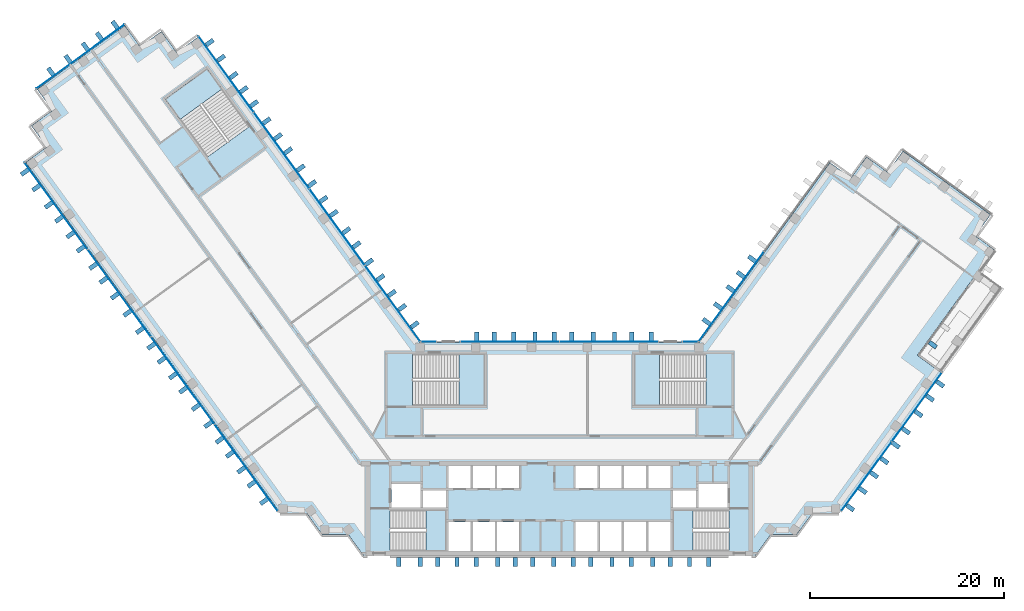
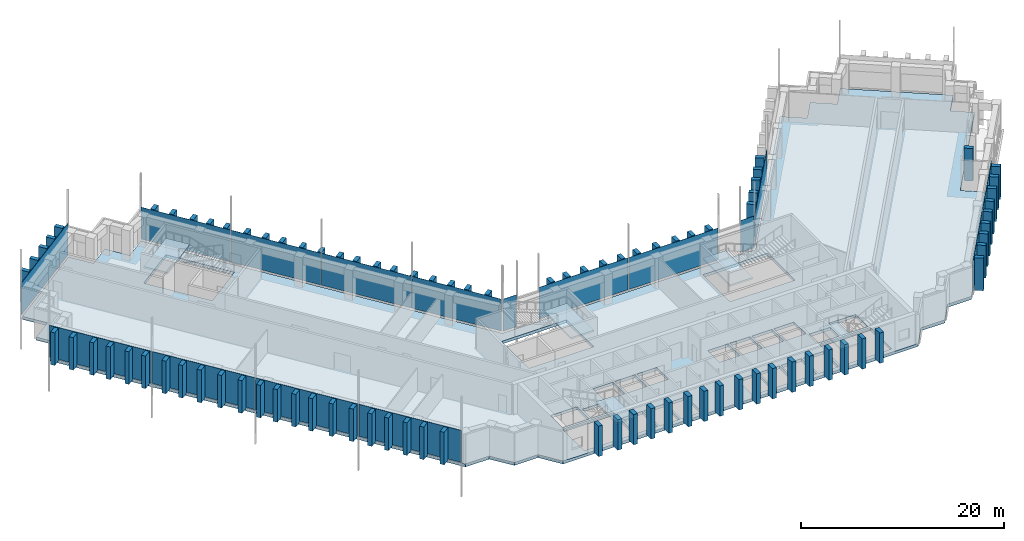
# One storey, part 7 of 16: 104 plates, 6 slabs, 13 elements without a shape of their own.
"""IFC4 building model written with IfcOpenShell, lengths in metres."""

from ifc_helpers import new_model, si_unit, direction, frame, origin, origin_2d, place, context, subcontext, project, spatial, polyline, rectangle, outline, extrude, material, layer, layer_set, type_object, element, aggregate, save


model = new_model("IFC4")

# Units and contexts
model_context = context("Model", 3, precision=1e-05, world=origin(), true_north=direction((0.0, 1.0)))
body_context = subcontext(model_context, "Body", "Model", "MODEL_VIEW")
ifc_project = project(units=[si_unit("LENGTHUNIT", "METRE"), si_unit("AREAUNIT", "SQUARE_METRE"), si_unit("VOLUMEUNIT", "CUBIC_METRE"), si_unit("PLANEANGLEUNIT", "RADIAN"), si_unit("MASSUNIT", "GRAM", prefix="KILO")], contexts=[model_context])

# Site, building, storey
site_placement = place(None, origin())
site = spatial("IfcSite", under=ifc_project, at=site_placement, CompositionType="ELEMENT")
building_placement = place(site_placement, origin())
building = spatial("IfcBuilding", under=site, at=building_placement, Name="Quipu Civic Tower", CompositionType="ELEMENT")
storey_placement = place(building_placement, frame((0.0, 0.0, 89.0)))
storey = spatial("IfcBuildingStorey", under=building, at=storey_placement, Name="L20", CompositionType="ELEMENT", Elevation=89.0)

# Slab
ifc_material_1 = material(Name="Concrete C40/50", Category="concrete")
ifc_layer_1 = layer(ifc_material_1, 0.35009765625)
ifc_layer_set_1 = layer_set([ifc_layer_1], Name="Concrete C40/50")
slab_type_1 = type_object("IfcSlabType", Name="Floor slab 350 C40/50", PredefinedType="FLOOR", material=ifc_layer_set_1)
slab_1_placement = place(storey_placement, frame((0.0, 0.0, -0.35009765625)))
element("IfcSlab", 1, at=slab_1_placement, inside=storey, type_object=slab_type_1, Name="Floor slab L20", PredefinedType="FLOOR", context=body_context, shape_type="SweptSolid", body=[
    extrude(outline(polyline([(24.489990234375, -8.81494140625), (21.7900390625, -8.81494140625), (20.205078125, -11.0), (-20.205078125, -11.0), (-21.7900390625, -8.81494140625), (-24.489990234375, -8.81494140625), (-26.080078125, -6.6298828125), (-28.780029296875, -6.6298828125), (-55.114990234375, 29.614990234375), (-52.929931640625, 31.205078125), (-54.514892578125, 33.389892578125), (-52.3349609375, 34.97509765625), (-53.919921875, 37.159912109375), (-44.860107421875, 43.739990234375), (-43.27001953125, 41.56005859375), (-41.0849609375, 43.14501953125), (-39.5, 40.9599609375), (-37.31494140625, 42.550048828125), (-14.39501953125, 11.0), (14.39501953125, 11.0), (27.909912109375, 29.60498046875), (30.094970703125, 28.014892578125), (31.68505859375, 30.199951171875), (33.864990234375, 28.614990234375), (35.455078125, 30.800048828125), (44.514892578125, 24.215087890625), (42.929931640625, 22.030029296875), (44.8701171875, 20.6201171875), (36.93505859375, 9.699951171875), (39.360107421875, 7.93505859375), (28.780029296875, -6.6298828125), (26.080078125, -6.6298828125), (24.489990234375, -8.81494140625)]), holes=[polyline([(-11.449951171875, -7.5), (-11.449951171875, -10.5), (-9.14990234375, -10.5), (-9.14990234375, -7.5), (-11.449951171875, -7.5)]), polyline([(-8.949951171875, -7.5), (-8.949951171875, -10.5), (-6.64990234375, -10.5), (-6.64990234375, -7.5), (-8.949951171875, -7.5)]), polyline([(-6.449951171875, -7.5), (-6.449951171875, -10.5), (-4.14990234375, -10.5), (-4.14990234375, -7.5), (-6.449951171875, -7.5)]), polyline([(-11.705078125, -10.4951171875), (-11.705078125, -6.2548828125), (-17.4951171875, -6.2548828125), (-17.4951171875, -10.4951171875), (-11.705078125, -10.4951171875)]), polyline([(-11.699951171875, -4.25), (-14.10009765625, -4.25), (-14.10009765625, -6.0), (-11.699951171875, -6.0), (-11.699951171875, -4.25)]), polyline([(-17.35009765625, -3.60009765625), (-17.35009765625, -6.0), (-14.35009765625, -6.0), (-14.35009765625, -3.60009765625), (-17.35009765625, -3.60009765625)]), polyline([(-9.14990234375, -1.699951171875), (-11.449951171875, -1.699951171875), (-11.449951171875, -4.0), (-9.14990234375, -4.0), (-9.14990234375, -1.699951171875)]), polyline([(-6.64990234375, -1.699951171875), (-8.949951171875, -1.699951171875), (-8.949951171875, -4.0), (-6.64990234375, -4.0), (-6.64990234375, -1.699951171875)]), polyline([(-6.449951171875, -1.699951171875), (-6.449951171875, -4.0), (-4.14990234375, -4.0), (-4.14990234375, -1.699951171875), (-6.449951171875, -1.699951171875)]), polyline([(3.949951171875, -1.699951171875), (1.64990234375, -1.699951171875), (1.64990234375, -4.0), (3.949951171875, -4.0), (3.949951171875, -1.699951171875)]), polyline([(-7.7548828125, 4.5048828125), (-7.7548828125, 9.844970703125), (-15.14501953125, 9.844970703125), (-15.14501953125, 4.5048828125), (-7.7548828125, 4.5048828125)]), polyline([(-40.68505859375, 36.135009765625), (-36.344970703125, 30.159912109375), (-32.02490234375, 33.300048828125), (-36.364990234375, 39.27490234375), (-40.68505859375, 36.135009765625)]), polyline([(3.949951171875, -7.5), (1.64990234375, -7.5), (1.64990234375, -10.5), (3.949951171875, -10.5), (3.949951171875, -7.5)]), polyline([(6.449951171875, -7.5), (4.14990234375, -7.5), (4.14990234375, -10.5), (6.449951171875, -10.5), (6.449951171875, -7.5)]), polyline([(6.64990234375, -7.5), (6.64990234375, -10.5), (8.949951171875, -10.5), (8.949951171875, -7.5), (6.64990234375, -7.5)]), polyline([(11.449951171875, -7.5), (9.14990234375, -7.5), (9.14990234375, -10.5), (11.449951171875, -10.5), (11.449951171875, -7.5)]), polyline([(11.705078125, -6.2548828125), (11.705078125, -10.4951171875), (17.4951171875, -10.4951171875), (17.4951171875, -6.2548828125), (11.705078125, -6.2548828125)]), polyline([(11.699951171875, -4.25), (11.699951171875, -6.0), (14.10009765625, -6.0), (14.10009765625, -4.25), (11.699951171875, -4.25)]), polyline([(17.35009765625, -3.60009765625), (14.35009765625, -3.60009765625), (14.35009765625, -6.0), (17.35009765625, -6.0), (17.35009765625, -3.60009765625)]), polyline([(6.449951171875, -1.699951171875), (4.14990234375, -1.699951171875), (4.14990234375, -4.0), (6.449951171875, -4.0), (6.449951171875, -1.699951171875)]), polyline([(6.64990234375, -1.699951171875), (6.64990234375, -4.0), (8.949951171875, -4.0), (8.949951171875, -1.699951171875), (6.64990234375, -1.699951171875)]), polyline([(11.449951171875, -1.699951171875), (9.14990234375, -1.699951171875), (9.14990234375, -4.0), (11.449951171875, -4.0), (11.449951171875, -1.699951171875)]), polyline([(7.7548828125, 9.844970703125), (7.7548828125, 4.5048828125), (15.14501953125, 4.5048828125), (15.14501953125, 9.844970703125), (7.7548828125, 9.844970703125)])]), origin(), (0.0, 0.0, 1.0), 0.35009765625),
])

# Curtain wall, plates
ifc_material_2 = material(Name="Insulated glass unit", Category="glass")
curtain_wall_type = type_object("IfcCurtainWallType", Name="Office curtain wall CW1", PredefinedType="NOTDEFINED", material=ifc_material_2)
curtain_wall_1_placement = place(storey_placement, origin())
curtain_wall_1 = element("IfcCurtainWall", 2, at=curtain_wall_1_placement, inside=storey, type_object=curtain_wall_type, Name="Office curtain wall CW1 L20 run 1", PredefinedType="NOTDEFINED")
ifc_material_3 = material(Name="Insulated glass unit", Category="glass")
ifc_layer_2 = layer(ifc_material_3, 0.028076171875)
ifc_layer_set_2 = layer_set([ifc_layer_2], Name="Insulated glass unit")
plate_type_1 = type_object("IfcPlateType", Name="Glass panel CW1", PredefinedType="CURTAIN_PANEL", material=ifc_layer_set_2)
plate_1_placement = place(storey_placement, frame((31.678955078125, -2.8095703125, 0.240234375), z_axis=(0.0, 0.0, 1.0), x_axis=(0.587786188533, 0.809016314155, 0.0)))
plate_1 = element("IfcPlate", 3, at=plate_1_placement, type_object=plate_type_1, Name="CW1 panel 1.1", PredefinedType="CURTAIN_PANEL", context=body_context, shape_type="SweptSolid", body=[
    extrude(rectangle(XDim=8.765625, YDim=0.028076171875, at=origin_2d()), origin(), (0.0, 0.0, 1.0), 3.679931640625),
])
plate_2_placement = place(storey_placement, frame((36.87841796875, 4.346435546875, 0.240234375), z_axis=(0.0, 0.0, 1.0), x_axis=(0.587786188533, 0.809016314155, 0.0)))
plate_2 = element("IfcPlate", 4, at=plate_2_placement, type_object=plate_type_1, Name="CW1 panel 2.1", PredefinedType="CURTAIN_PANEL", context=body_context, shape_type="SweptSolid", body=[
    extrude(rectangle(XDim=8.765625, YDim=0.028076171875, at=origin_2d()), origin(), (0.0, 0.0, 1.0), 3.679931640625),
])
aggregate(curtain_wall_1, [plate_1, plate_2])

# Curtain wall, plate
curtain_wall_2_placement = place(storey_placement, origin())
curtain_wall_2 = element("IfcCurtainWall", 5, at=curtain_wall_2_placement, inside=storey, type_object=curtain_wall_type, Name="Office curtain wall CW1 L19 run 11", PredefinedType="NOTDEFINED")
plate_3_placement = place(storey_placement, frame((17.7421875, 15.777099609375, 0.16015625), z_axis=(0.0, 0.0, 1.0), x_axis=(-0.587788727052, -0.809014469803, 0.0)))
plate_3 = element("IfcPlate", 6, at=plate_3_placement, type_object=plate_type_1, Name="CW1 panel 2.2", PredefinedType="CURTAIN_PANEL", context=body_context, shape_type="SweptSolid", body=[
    extrude(rectangle(XDim=11.402099609375, YDim=0.028076171875, at=origin_2d()), origin(), (0.0, 0.0, 1.0), 3.840087890625),
])
aggregate(curtain_wall_2, [plate_3])

curtain_wall_3_placement = place(storey_placement, origin())
curtain_wall_3 = element("IfcCurtainWall", 7, at=curtain_wall_3_placement, inside=storey, type_object=curtain_wall_type, Name="Office curtain wall CW1 L19 run 12", PredefinedType="NOTDEFINED")
plate_4_placement = place(storey_placement, frame((13.49951171875, 11.10009765625, 0.16015625), z_axis=(0.0, 0.0, 1.0), x_axis=(-1.0, 0.0, 0.0)))
plate_4 = element("IfcPlate", 8, at=plate_4_placement, type_object=plate_type_1, Name="CW1 panel 1.2", PredefinedType="CURTAIN_PANEL", context=body_context, shape_type="SweptSolid", body=[
    extrude(rectangle(XDim=1.529296875, YDim=0.028076171875, at=origin_2d()), origin(), (0.0, 0.0, 1.0), 3.840087890625),
])
aggregate(curtain_wall_3, [plate_4])

# Curtain wall, plates
curtain_wall_4_placement = place(storey_placement, origin())
curtain_wall_4 = element("IfcCurtainWall", 9, at=curtain_wall_4_placement, inside=storey, type_object=curtain_wall_type, Name="Office curtain wall CW1 L19 run 14", PredefinedType="NOTDEFINED")
plate_5_placement = place(storey_placement, frame((5.11181640625, 11.10009765625, 0.16015625), z_axis=(0.0, 0.0, 1.0), x_axis=(-1.0, 0.0, 0.0)))
plate_5 = element("IfcPlate", 10, at=plate_5_placement, type_object=plate_type_1, Name="CW1 panel 1.2", PredefinedType="CURTAIN_PANEL", context=body_context, shape_type="SweptSolid", body=[
    extrude(rectangle(XDim=10.1435546875, YDim=0.028076171875, at=origin_2d()), origin(), (0.0, 0.0, 1.0), 3.840087890625),
])
plate_6_placement = place(storey_placement, frame((-5.11181640625, 11.10009765625, 0.16015625), z_axis=(0.0, 0.0, 1.0), x_axis=(-1.0, 0.0, 0.0)))
plate_6 = element("IfcPlate", 11, at=plate_6_placement, type_object=plate_type_1, Name="CW1 panel 2.2", PredefinedType="CURTAIN_PANEL", context=body_context, shape_type="SweptSolid", body=[
    extrude(rectangle(XDim=10.1435546875, YDim=0.028076171875, at=origin_2d()), origin(), (0.0, 0.0, 1.0), 3.840087890625),
])
aggregate(curtain_wall_4, [plate_5, plate_6])

# Curtain wall, plate
curtain_wall_5_placement = place(storey_placement, origin())
curtain_wall_5 = element("IfcCurtainWall", 12, at=curtain_wall_5_placement, inside=storey, type_object=curtain_wall_type, Name="Office curtain wall CW1 L19 run 16", PredefinedType="NOTDEFINED")
plate_7_placement = place(storey_placement, frame((-13.49951171875, 11.10009765625, 0.16015625), z_axis=(0.0, 0.0, 1.0), x_axis=(-1.0, 0.0, 0.0)))
plate_7 = element("IfcPlate", 13, at=plate_7_placement, type_object=plate_type_1, Name="CW1 panel 1.2", PredefinedType="CURTAIN_PANEL", context=body_context, shape_type="SweptSolid", body=[
    extrude(rectangle(XDim=1.529296875, YDim=0.028076171875, at=origin_2d()), origin(), (0.0, 0.0, 1.0), 3.840087890625),
])
aggregate(curtain_wall_5, [plate_7])

# Curtain wall, plates
curtain_wall_6_placement = place(storey_placement, origin())
curtain_wall_6 = element("IfcCurtainWall", 14, at=curtain_wall_6_placement, inside=storey, type_object=curtain_wall_type, Name="Office curtain wall CW1 L19 run 17", PredefinedType="NOTDEFINED")
plate_8_placement = place(storey_placement, frame((-17.224609375, 15.064697265625, 0.16015625), z_axis=(0.0, 0.0, 1.0), x_axis=(-0.587785887566, 0.809016532822, 0.0)))
plate_8 = element("IfcPlate", 15, at=plate_8_placement, type_object=plate_type_1, Name="CW1 panel 1.2", PredefinedType="CURTAIN_PANEL", context=body_context, shape_type="SweptSolid", body=[
    extrude(rectangle(XDim=9.64111328125, YDim=0.028076171875, at=origin_2d()), origin(), (0.0, 0.0, 1.0), 3.840087890625),
])
plate_9_placement = place(storey_placement, frame((-22.950439453125, 22.9453125, 0.16015625), z_axis=(0.0, 0.0, 1.0), x_axis=(-0.587785887566, 0.809016532822, 0.0)))
plate_9 = element("IfcPlate", 16, at=plate_9_placement, type_object=plate_type_1, Name="CW1 panel 2.2", PredefinedType="CURTAIN_PANEL", context=body_context, shape_type="SweptSolid", body=[
    extrude(rectangle(XDim=9.68115234375, YDim=0.028076171875, at=origin_2d()), origin(), (0.0, 0.0, 1.0), 3.840087890625),
])
plate_10_placement = place(storey_placement, frame((-28.687744140625, 30.84228515625, 0.16015625), z_axis=(0.0, 0.0, 1.0), x_axis=(-0.587785887566, 0.809016532822, 0.0)))
plate_10 = element("IfcPlate", 17, at=plate_10_placement, type_object=plate_type_1, Name="CW1 panel 3.2", PredefinedType="CURTAIN_PANEL", context=body_context, shape_type="SweptSolid", body=[
    extrude(rectangle(XDim=9.68115234375, YDim=0.028076171875, at=origin_2d()), origin(), (0.0, 0.0, 1.0), 3.840087890625),
])
plate_11_placement = place(storey_placement, frame((-34.413330078125, 38.722900390625, 0.16015625), z_axis=(0.0, 0.0, 1.0), x_axis=(-0.587785887566, 0.809016532822, 0.0)))
plate_11 = element("IfcPlate", 18, at=plate_11_placement, type_object=plate_type_1, Name="CW1 panel 4.2", PredefinedType="CURTAIN_PANEL", context=body_context, shape_type="SweptSolid", body=[
    extrude(rectangle(XDim=9.64111328125, YDim=0.028076171875, at=origin_2d()), origin(), (0.0, 0.0, 1.0), 3.840087890625),
])
aggregate(curtain_wall_6, [plate_8, plate_9, plate_10, plate_11])

# Curtain wall, plate
curtain_wall_7_placement = place(storey_placement, origin())
curtain_wall_7 = element("IfcCurtainWall", 19, at=curtain_wall_7_placement, inside=storey, type_object=curtain_wall_type, Name="Office curtain wall CW1 L19 run 22", PredefinedType="NOTDEFINED")
plate_12_placement = place(storey_placement, frame((-49.447998046875, 40.53173828125, 0.16015625), z_axis=(0.0, 0.0, 1.0), x_axis=(-0.809019348124, -0.587782012621, 0.0)))
plate_12 = element("IfcPlate", 20, at=plate_12_placement, type_object=plate_type_1, Name="CW1 panel 1.2", PredefinedType="CURTAIN_PANEL", context=body_context, shape_type="SweptSolid", body=[
    extrude(rectangle(XDim=11.239990234375, YDim=0.028076171875, at=origin_2d()), origin(), (0.0, 0.0, 1.0), 3.840087890625),
])
aggregate(curtain_wall_7, [plate_12])

# Curtain wall, plates
curtain_wall_8_placement = place(storey_placement, origin())
curtain_wall_8 = element("IfcCurtainWall", 21, at=curtain_wall_8_placement, inside=storey, type_object=curtain_wall_type, Name="Office curtain wall CW1 L19 run 27", PredefinedType="NOTDEFINED")
plate_13_placement = place(storey_placement, frame((-51.967529296875, 25.114990234375, 0.16015625), z_axis=(0.0, 0.0, 1.0), x_axis=(0.587785559869, -0.809016770908, 0.0)))
plate_13 = element("IfcPlate", 22, at=plate_13_placement, type_object=plate_type_1, Name="CW1 panel 1.2", PredefinedType="CURTAIN_PANEL", context=body_context, shape_type="SweptSolid", body=[
    extrude(rectangle(XDim=11.022705078125, YDim=0.028076171875, at=origin_2d()), origin(), (0.0, 0.0, 1.0), 3.840087890625),
])
plate_14_placement = place(storey_placement, frame((-45.4296875, 16.11669921875, 0.16015625), z_axis=(0.0, 0.0, 1.0), x_axis=(0.587785559869, -0.809016770908, 0.0)))
plate_14 = element("IfcPlate", 23, at=plate_14_placement, type_object=plate_type_1, Name="CW1 panel 2.2", PredefinedType="CURTAIN_PANEL", context=body_context, shape_type="SweptSolid", body=[
    extrude(rectangle(XDim=11.062744140625, YDim=0.028076171875, at=origin_2d()), origin(), (0.0, 0.0, 1.0), 3.840087890625),
])
plate_15_placement = place(storey_placement, frame((-38.880126953125, 7.101806640625, 0.16015625), z_axis=(0.0, 0.0, 1.0), x_axis=(0.587785559869, -0.809016770908, 0.0)))
plate_15 = element("IfcPlate", 24, at=plate_15_placement, type_object=plate_type_1, Name="CW1 panel 3.2", PredefinedType="CURTAIN_PANEL", context=body_context, shape_type="SweptSolid", body=[
    extrude(rectangle(XDim=11.062744140625, YDim=0.028076171875, at=origin_2d()), origin(), (0.0, 0.0, 1.0), 3.840087890625),
])
plate_16_placement = place(storey_placement, frame((-32.342529296875, -1.896484375, 0.16015625), z_axis=(0.0, 0.0, 1.0), x_axis=(0.587785559869, -0.809016770908, 0.0)))
plate_16 = element("IfcPlate", 25, at=plate_16_placement, type_object=plate_type_1, Name="CW1 panel 4.2", PredefinedType="CURTAIN_PANEL", context=body_context, shape_type="SweptSolid", body=[
    extrude(rectangle(XDim=11.022705078125, YDim=0.028076171875, at=origin_2d()), origin(), (0.0, 0.0, 1.0), 3.840087890625),
])
aggregate(curtain_wall_8, [plate_13, plate_14, plate_15, plate_16])

# Plates
ifc_material_4 = material(Name="Precast concrete C40/50", Category="concrete")
plate_type_2 = type_object("IfcPlateType", Name="Precast fin F1", PredefinedType="SHEET", material=ifc_material_4)
for number, where, z_axis, x_axis, name in (
    (26, (30.013916015625, -6.037353515625, 0.080078125), (0.0, 0.0, 1.0), (0.587786569265, 0.809016037537, 0.0), "Precast fin F1 L20.1.1"),
    (27, (31.306884765625, -4.257568359375, 0.080078125), (0.0, 0.0, 1.0), (0.587786569265, 0.809016037537, 0.0), "Precast fin F1 L20.1.2"),
    (28, (32.482421875, -2.639404296875, 0.080078125), (0.0, 0.0, 1.0), (0.587786569265, 0.809016037537, 0.0), "Precast fin F1 L20.1.3"),
    (29, (33.54052734375, -1.18310546875, 0.080078125), (0.0, 0.0, 1.0), (0.587786569265, 0.809016037537, 0.0), "Precast fin F1 L20.1.4"),
    (30, (34.716064453125, 0.434814453125, 0.080078125), (0.0, 0.0, 1.0), (0.587786569265, 0.809016037537, 0.0), "Precast fin F1 L20.1.5"),
    (31, (35.774169921875, 1.89111328125, 0.080078125), (0.0, 0.0, 1.0), (0.587786569265, 0.809016037537, 0.0), "Precast fin F1 L20.1.6"),
    (32, (37.067138671875, 3.6708984375, 0.080078125), (0.0, 0.0, 1.0), (0.587786569265, 0.809016037537, 0.0), "Precast fin F1 L20.1.7"),
    (33, (38.242919921875, 5.288818359375, 0.080078125), (0.0, 0.0, 1.0), (0.587786569265, 0.809016037537, 0.0), "Precast fin F1 L20.1.8"),
    (34, (39.30078125, 6.7451171875, 0.080078125), (0.0, 0.0, 1.0), (0.587786569265, 0.809016037537, 0.0), "Precast fin F1 L20.1.9"),
    (35, (38.533203125, 10.79248046875, 0.080078125), (0.0, 0.0, 1.0), (0.587786244816, 0.809016273264, 0.0), "Precast fin F1 L20.3.1"),
    (36, (19.876708984375, 19.650390625, 0.080078125), (0.0, 0.0, 1.0), (-0.587787133119, -0.809015627871, 0.0), "Precast fin F1 L20.P07.7"),
    (37, (18.701171875, 18.032470703125, 0.080078125), (0.0, 0.0, 1.0), (-0.587787133119, -0.809015627871, 0.0), "Precast fin F1 L20.P07.8"),
    (38, (17.64306640625, 16.576171875, 0.080078125), (0.0, 0.0, 1.0), (-0.587787133119, -0.809015627871, 0.0), "Precast fin F1 L20.P07.9"),
    (39, (16.349853515625, 14.79638671875, 0.080078125), (0.0, 0.0, 1.0), (-0.587787133119, -0.809015627871, 0.0), "Precast fin F1 L20.P07.10"),
    (40, (15.17431640625, 13.17822265625, 0.080078125), (0.0, 0.0, 1.0), (-0.587787133119, -0.809015627871, 0.0), "Precast fin F1 L20.P07.11"),
    (41, (9.47509765625, 11.64990234375, 0.080078125), (0.0, 0.0, 1.0), (-1.0, 0.0, 0.0), "Precast fin F1 L20.P10.1"),
    (42, (7.47509765625, 11.64990234375, 0.080078125), (0.0, 0.0, 1.0), (-1.0, 0.0, 0.0), "Precast fin F1 L20.P10.2"),
    (43, (5.675048828125, 11.64990234375, 0.080078125), (0.0, 0.0, 1.0), (-1.0, 0.0, 0.0), "Precast fin F1 L20.P10.3"),
    (44, (3.47509765625, 11.64990234375, 0.080078125), (0.0, 0.0, 1.0), (-1.0, 0.0, 0.0), "Precast fin F1 L20.P10.4"),
    (45, (1.27490234375, 11.64990234375, 0.080078125), (0.0, 0.0, 1.0), (-1.0, 0.0, 0.0), "Precast fin F1 L20.P10.5"),
    (46, (-0.52490234375, 11.64990234375, 0.080078125), (0.0, 0.0, 1.0), (-1.0, 0.0, 0.0), "Precast fin F1 L20.P10.6"),
    (47, (-2.52490234375, 11.64990234375, 0.080078125), (0.0, 0.0, 1.0), (-1.0, 0.0, 0.0), "Precast fin F1 L20.P10.7"),
    (48, (-4.72509765625, 11.64990234375, 0.080078125), (0.0, 0.0, 1.0), (-1.0, 0.0, 0.0), "Precast fin F1 L20.P10.8"),
    (49, (-6.72509765625, 11.64990234375, 0.080078125), (0.0, 0.0, 1.0), (-1.0, 0.0, 0.0), "Precast fin F1 L20.P10.9"),
    (50, (-8.52490234375, 11.64990234375, 0.080078125), (0.0, 0.0, 1.0), (-1.0, 0.0, 0.0), "Precast fin F1 L20.P10.10"),
    (51, (-14.942138671875, 12.8583984375, 0.080078125), (0.0, 0.0, 1.0), (-0.587784944053, 0.809017218324, 0.0), "Precast fin F1 L20.P13.1"),
    (52, (-16.235107421875, 14.638427734375, 0.080078125), (0.0, 0.0, 1.0), (-0.587784944053, 0.809017218324, 0.0), "Precast fin F1 L20.P13.2"),
    (53, (-17.293212890625, 16.094482421875, 0.080078125), (0.0, 0.0, 1.0), (-0.587784944053, 0.809017218324, 0.0), "Precast fin F1 L20.P13.3"),
    (54, (-18.46875, 17.712646484375, 0.080078125), (0.0, 0.0, 1.0), (-0.587784944053, 0.809017218324, 0.0), "Precast fin F1 L20.P13.4"),
    (55, (-19.644287109375, 19.33056640625, 0.080078125), (0.0, 0.0, 1.0), (-0.587784944053, 0.809017218324, 0.0), "Precast fin F1 L20.P13.5"),
    (56, (-20.9375, 21.110595703125, 0.080078125), (0.0, 0.0, 1.0), (-0.587784944053, 0.809017218324, 0.0), "Precast fin F1 L20.P13.6"),
    (57, (-21.995361328125, 22.566650390625, 0.080078125), (0.0, 0.0, 1.0), (-0.587784944053, 0.809017218324, 0.0), "Precast fin F1 L20.P13.7"),
    (58, (-23.28857421875, 24.3466796875, 0.080078125), (0.0, 0.0, 1.0), (-0.587784944053, 0.809017218324, 0.0), "Precast fin F1 L20.P13.8"),
    (59, (-24.3466796875, 25.802734375, 0.080078125), (0.0, 0.0, 1.0), (-0.587784944053, 0.809017218324, 0.0), "Precast fin F1 L20.P13.9"),
    (60, (-25.522216796875, 27.4208984375, 0.080078125), (0.0, 0.0, 1.0), (-0.587784944053, 0.809017218324, 0.0), "Precast fin F1 L20.P13.10"),
    (61, (-26.69775390625, 29.038818359375, 0.080078125), (0.0, 0.0, 1.0), (-0.587784944053, 0.809017218324, 0.0), "Precast fin F1 L20.P13.11"),
    (62, (-27.990966796875, 30.818603515625, 0.080078125), (0.0, 0.0, 1.0), (-0.587784944053, 0.809017218324, 0.0), "Precast fin F1 L20.P13.12"),
    (63, (-29.048828125, 32.27490234375, 0.080078125), (0.0, 0.0, 1.0), (-0.587784944053, 0.809017218324, 0.0), "Precast fin F1 L20.P13.13"),
    (64, (-30.224365234375, 33.89306640625, 0.080078125), (0.0, 0.0, 1.0), (-0.587784944053, 0.809017218324, 0.0), "Precast fin F1 L20.P13.14"),
    (65, (-31.517578125, 35.6728515625, 0.080078125), (0.0, 0.0, 1.0), (-0.587784944053, 0.809017218324, 0.0), "Precast fin F1 L20.P13.15"),
    (66, (-32.57568359375, 37.129150390625, 0.080078125), (0.0, 0.0, 1.0), (-0.587784944053, 0.809017218324, 0.0), "Precast fin F1 L20.P13.16"),
    (67, (-33.633544921875, 38.585205078125, 0.080078125), (0.0, 0.0, 1.0), (-0.587784944053, 0.809017218324, 0.0), "Precast fin F1 L20.P13.17"),
    (68, (-34.9267578125, 40.364990234375, 0.080078125), (0.0, 0.0, 1.0), (-0.587784944053, 0.809017218324, 0.0), "Precast fin F1 L20.P13.18"),
    (69, (-36.102294921875, 41.983154296875, 0.080078125), (0.0, 0.0, 1.0), (-0.587784944053, 0.809017218324, 0.0), "Precast fin F1 L20.P13.19"),
    (70, (-45.867919921875, 43.812744140625, 0.080078125), (0.0, 0.0, 1.0), (-0.809021318545, -0.587779300537, 0.0), "Precast fin F1 L20.P18.1"),
    (71, (-47.48583984375, 42.63720703125, 0.080078125), (0.0, 0.0, 1.0), (-0.809021318545, -0.587779300537, 0.0), "Precast fin F1 L20.P18.2"),
    (72, (-48.942138671875, 41.5791015625, 0.080078125), (0.0, 0.0, 1.0), (-0.809021318545, -0.587779300537, 0.0), "Precast fin F1 L20.P18.3"),
    (73, (-50.721923828125, 40.2861328125, 0.080078125), (0.0, 0.0, 1.0), (-0.809021318545, -0.587779300537, 0.0), "Precast fin F1 L20.P18.4"),
    (74, (-52.501708984375, 38.992919921875, 0.080078125), (0.0, 0.0, 1.0), (-0.809021318545, -0.587779300537, 0.0), "Precast fin F1 L20.P18.5"),
    (75, (-55.184814453125, 28.607421875, 0.080078125), (0.0, 0.0, 1.0), (0.587785716149, -0.809016657363, 0.0), "Precast fin F1 L20.P23.1"),
    (76, (-54.00927734375, 26.989501953125, 0.080078125), (0.0, 0.0, 1.0), (0.587785716149, -0.809016657363, 0.0), "Precast fin F1 L20.P23.2"),
    (77, (-52.716064453125, 25.20947265625, 0.080078125), (0.0, 0.0, 1.0), (0.587785716149, -0.809016657363, 0.0), "Precast fin F1 L20.P23.3"),
    (78, (-51.657958984375, 23.75341796875, 0.080078125), (0.0, 0.0, 1.0), (0.587785716149, -0.809016657363, 0.0), "Precast fin F1 L20.P23.4"),
    (79, (-50.482421875, 22.13525390625, 0.080078125), (0.0, 0.0, 1.0), (0.587785716149, -0.809016657363, 0.0), "Precast fin F1 L20.P23.5"),
    (80, (-49.42431640625, 20.67919921875, 0.080078125), (0.0, 0.0, 1.0), (0.587785716149, -0.809016657363, 0.0), "Precast fin F1 L20.P23.6"),
    (81, (-48.13134765625, 18.899169921875, 0.080078125), (0.0, 0.0, 1.0), (0.587785716149, -0.809016657363, 0.0), "Precast fin F1 L20.P23.7"),
    (82, (-47.0732421875, 17.443115234375, 0.080078125), (0.0, 0.0, 1.0), (0.587785716149, -0.809016657363, 0.0), "Precast fin F1 L20.P23.8"),
    (83, (-45.897705078125, 15.824951171875, 0.080078125), (0.0, 0.0, 1.0), (0.587785716149, -0.809016657363, 0.0), "Precast fin F1 L20.P23.9"),
    (84, (-44.6044921875, 14.045166015625, 0.080078125), (0.0, 0.0, 1.0), (0.587785716149, -0.809016657363, 0.0), "Precast fin F1 L20.P23.10"),
    (85, (-43.3115234375, 12.265380859375, 0.080078125), (0.0, 0.0, 1.0), (0.587785716149, -0.809016657363, 0.0), "Precast fin F1 L20.P23.11"),
    (86, (-42.135986328125, 10.647216796875, 0.080078125), (0.0, 0.0, 1.0), (0.587785716149, -0.809016657363, 0.0), "Precast fin F1 L20.P23.12"),
    (87, (-41.077880859375, 9.191162109375, 0.080078125), (0.0, 0.0, 1.0), (0.587785716149, -0.809016657363, 0.0), "Precast fin F1 L20.P23.13"),
    (88, (-39.90234375, 7.572998046875, 0.080078125), (0.0, 0.0, 1.0), (0.587785716149, -0.809016657363, 0.0), "Precast fin F1 L20.P23.14"),
    (89, (-38.84423828125, 6.11669921875, 0.080078125), (0.0, 0.0, 1.0), (0.587785716149, -0.809016657363, 0.0), "Precast fin F1 L20.P23.15"),
    (90, (-37.55126953125, 4.3369140625, 0.080078125), (0.0, 0.0, 1.0), (0.587785716149, -0.809016657363, 0.0), "Precast fin F1 L20.P23.16"),
    (91, (-36.258056640625, 2.55712890625, 0.080078125), (0.0, 0.0, 1.0), (0.587785716149, -0.809016657363, 0.0), "Precast fin F1 L20.P23.17"),
    (92, (-35.08251953125, 0.93896484375, 0.080078125), (0.0, 0.0, 1.0), (0.587785716149, -0.809016657363, 0.0), "Precast fin F1 L20.P23.18"),
    (93, (-34.0244140625, -0.51708984375, 0.080078125), (0.0, 0.0, 1.0), (0.587785716149, -0.809016657363, 0.0), "Precast fin F1 L20.P23.19"),
    (94, (-32.848876953125, -2.13525390625, 0.080078125), (0.0, 0.0, 1.0), (0.587785716149, -0.809016657363, 0.0), "Precast fin F1 L20.P23.20"),
    (95, (-31.790771484375, -3.59130859375, 0.080078125), (0.0, 0.0, 1.0), (0.587785716149, -0.809016657363, 0.0), "Precast fin F1 L20.P23.21"),
    (96, (-30.497802734375, -5.371337890625, 0.080078125), (0.0, 0.0, 1.0), (0.587785716149, -0.809016657363, 0.0), "Precast fin F1 L20.P23.22"),
):
    element("IfcPlate", number, at=place(storey_placement, frame(where, z_axis=z_axis, x_axis=x_axis)), inside=storey, type_object=plate_type_2, Name=name, PredefinedType="SHEET", context=body_context, shape_type="SweptSolid", body=[
        extrude(rectangle(XDim=0.449951171875, YDim=0.89990234375, at=origin_2d()), origin(), (0.0, 0.0, 1.0), 3.919921875),
    ])
for number, where, z_axis, x_axis, name in (
    (97, (-16.574951171875, -11.637939453125, 0.0), (0.0, 0.0, 1.0), (1.0, 0.0, 0.0), "Precast fin F1 L20.P30.1"),
    (98, (-14.375, -11.637939453125, 0.0), (0.0, 0.0, 1.0), (1.0, 0.0, 0.0), "Precast fin F1 L20.P30.2"),
    (99, (-12.574951171875, -11.637939453125, 0.0), (0.0, 0.0, 1.0), (1.0, 0.0, 0.0), "Precast fin F1 L20.P30.3"),
    (100, (-10.574951171875, -11.637939453125, 0.0), (0.0, 0.0, 1.0), (1.0, 0.0, 0.0), "Precast fin F1 L20.P30.4"),
    (101, (-8.574951171875, -11.637939453125, 0.0), (0.0, 0.0, 1.0), (1.0, 0.0, 0.0), "Precast fin F1 L20.P30.5"),
    (102, (-6.375, -11.637939453125, 0.0), (0.0, 0.0, 1.0), (1.0, 0.0, 0.0), "Precast fin F1 L20.P30.6"),
    (103, (-4.574951171875, -11.637939453125, 0.0), (0.0, 0.0, 1.0), (1.0, 0.0, 0.0), "Precast fin F1 L20.P30.7"),
    (104, (-2.77490234375, -11.637939453125, 0.0), (0.0, 0.0, 1.0), (1.0, 0.0, 0.0), "Precast fin F1 L20.P30.8"),
    (105, (-0.574951171875, -11.637939453125, 0.0), (0.0, 0.0, 1.0), (1.0, 0.0, 0.0), "Precast fin F1 L20.P30.9"),
    (106, (1.425048828125, -11.637939453125, 0.0), (0.0, 0.0, 1.0), (1.0, 0.0, 0.0), "Precast fin F1 L20.P30.10"),
    (107, (3.22509765625, -11.637939453125, 0.0), (0.0, 0.0, 1.0), (1.0, 0.0, 0.0), "Precast fin F1 L20.P30.11"),
    (108, (5.425048828125, -11.637939453125, 0.0), (0.0, 0.0, 1.0), (1.0, 0.0, 0.0), "Precast fin F1 L20.P30.12"),
    (109, (7.425048828125, -11.637939453125, 0.0), (0.0, 0.0, 1.0), (1.0, 0.0, 0.0), "Precast fin F1 L20.P30.13"),
    (110, (9.625, -11.637939453125, 0.0), (0.0, 0.0, 1.0), (1.0, 0.0, 0.0), "Precast fin F1 L20.P30.14"),
    (111, (11.425048828125, -11.637939453125, 0.0), (0.0, 0.0, 1.0), (1.0, 0.0, 0.0), "Precast fin F1 L20.P30.15"),
    (112, (13.425048828125, -11.637939453125, 0.0), (0.0, 0.0, 1.0), (1.0, 0.0, 0.0), "Precast fin F1 L20.P30.16"),
    (113, (15.425048828125, -11.637939453125, 0.0), (0.0, 0.0, 1.0), (1.0, 0.0, 0.0), "Precast fin F1 L20.P30.17"),
):
    element("IfcPlate", number, at=place(storey_placement, frame(where, z_axis=z_axis, x_axis=x_axis)), inside=storey, type_object=plate_type_2, Name=name, PredefinedType="SHEET", context=body_context, shape_type="SweptSolid", body=[
        extrude(rectangle(XDim=0.449951171875, YDim=0.89990234375, at=origin_2d()), origin(), (0.0, 0.0, 1.0), 3.64990234375),
    ])

# Stair, slab
ifc_material_5 = material(Name="Concrete C40/50", Category="concrete")
stair_type_1 = type_object("IfcStairType", Name="Half turn stair 2000", PredefinedType="HALF_TURN_STAIR", material=ifc_material_5)
stair_1_placement = place(storey_placement, origin())
stair_1 = element("IfcStair", 114, at=stair_1_placement, inside=storey, type_object=stair_type_1, Name="Exit stair 1", PredefinedType="HALF_TURN_STAIR")
ifc_material_6 = material(Name="Concrete C40/50", Category="concrete")
ifc_layer_3 = layer(ifc_material_6, 0.199951171875)
ifc_layer_set_3 = layer_set([ifc_layer_3], Name="Concrete C40/50")
slab_type_2 = type_object("IfcSlabType", Name="Stair landing 200", PredefinedType="LANDING", material=ifc_layer_set_3)
slab_2_placement = place(storey_placement, frame((0.0, 0.0, 1.800048828125)))
slab_2 = element("IfcSlab", 115, at=slab_2_placement, type_object=slab_type_2, Name="ST-1 landing 1", PredefinedType="LANDING", context=body_context, shape_type="SweptSolid", body=[
    extrude(outline(polyline([(-13.780029296875, -10.5), (-11.699951171875, -10.5), (-11.699951171875, -6.25), (-13.780029296875, -6.25), (-13.780029296875, -10.5)])), origin(), (0.0, 0.0, 1.0), 0.199951171875),
])
aggregate(stair_1, [slab_2])

stair_2_placement = place(storey_placement, origin())
stair_2 = element("IfcStair", 116, at=stair_2_placement, inside=storey, type_object=stair_type_1, Name="Exit stair 2", PredefinedType="HALF_TURN_STAIR")
slab_3_placement = place(storey_placement, frame((0.0, 0.0, 1.800048828125)))
slab_3 = element("IfcSlab", 117, at=slab_3_placement, type_object=slab_type_2, Name="ST-2 landing 1", PredefinedType="LANDING", context=body_context, shape_type="SweptSolid", body=[
    extrude(outline(polyline([(13.780029296875, -6.25), (11.699951171875, -6.25), (11.699951171875, -10.5), (13.780029296875, -10.5), (13.780029296875, -6.25)])), origin(), (0.0, 0.0, 1.0), 0.199951171875),
])
aggregate(stair_2, [slab_3])

ifc_material_7 = material(Name="Concrete C40/50", Category="concrete")
stair_type_2 = type_object("IfcStairType", Name="Half turn stair 2600", PredefinedType="HALF_TURN_STAIR", material=ifc_material_7)
stair_3_placement = place(storey_placement, origin())
stair_3 = element("IfcStair", 118, at=stair_3_placement, inside=storey, type_object=stair_type_2, Name="Exit stair 3", PredefinedType="HALF_TURN_STAIR")
slab_4_placement = place(storey_placement, frame((0.0, 0.0, 1.800048828125)))
slab_4 = element("IfcSlab", 119, at=slab_4_placement, type_object=slab_type_2, Name="ST-3 landing 1", PredefinedType="LANDING", context=body_context, shape_type="SweptSolid", body=[
    extrude(outline(polyline([(-10.35009765625, 4.5), (-7.75, 4.5), (-7.75, 9.85009765625), (-10.35009765625, 9.85009765625), (-10.35009765625, 4.5)])), origin(), (0.0, 0.0, 1.0), 0.199951171875),
])
aggregate(stair_3, [slab_4])

stair_4_placement = place(storey_placement, origin())
stair_4 = element("IfcStair", 120, at=stair_4_placement, inside=storey, type_object=stair_type_2, Name="Exit stair 4", PredefinedType="HALF_TURN_STAIR")
slab_5_placement = place(storey_placement, frame((0.0, 0.0, 1.800048828125)))
slab_5 = element("IfcSlab", 121, at=slab_5_placement, type_object=slab_type_2, Name="ST-4 landing 1", PredefinedType="LANDING", context=body_context, shape_type="SweptSolid", body=[
    extrude(outline(polyline([(10.35009765625, 9.85009765625), (7.75, 9.85009765625), (7.75, 4.5), (10.35009765625, 4.5), (10.35009765625, 9.85009765625)])), origin(), (0.0, 0.0, 1.0), 0.199951171875),
])
aggregate(stair_4, [slab_5])

stair_5_placement = place(storey_placement, origin())
stair_5 = element("IfcStair", 122, at=stair_5_placement, inside=storey, type_object=stair_type_2, Name="Exit stair 6", PredefinedType="HALF_TURN_STAIR")
slab_6_placement = place(storey_placement, frame((0.0, 0.0, 1.800048828125)))
slab_6 = element("IfcSlab", 123, at=slab_6_placement, type_object=slab_type_2, Name="ST-6 landing 1", PredefinedType="LANDING", context=body_context, shape_type="SweptSolid", body=[
    extrude(outline(polyline([(-34.837158203125, 37.179443359375), (-36.365478515625, 39.282958984375), (-40.69384765625, 36.138427734375), (-39.16552734375, 34.034912109375), (-34.837158203125, 37.179443359375)])), origin(), (0.0, 0.0, 1.0), 0.199951171875),
])
aggregate(stair_5, [slab_6])

save(model, "model.ifc")
